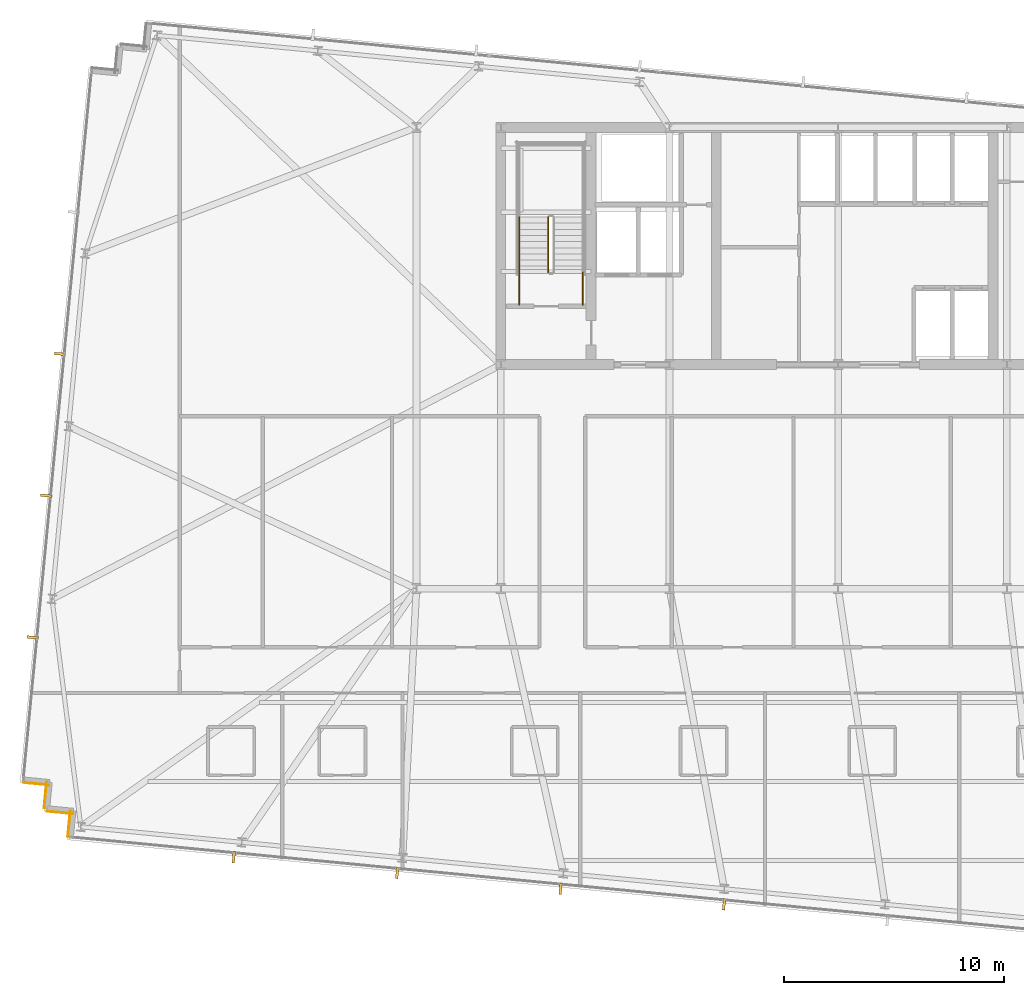
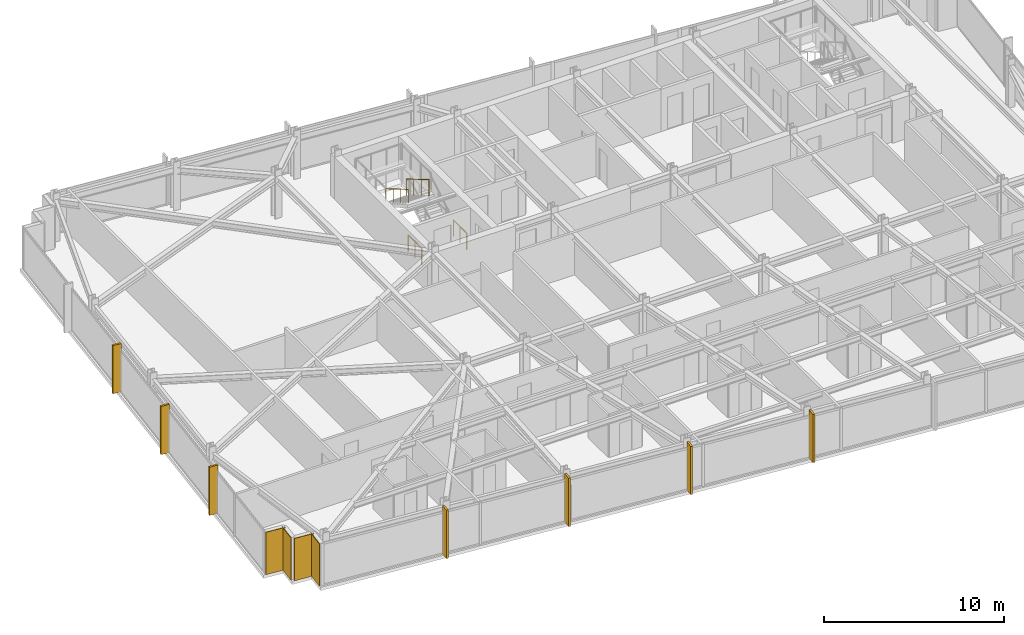
# One storey, part 33 of 37: 7 shading devices, 4 coverings, 4 railings.
"""IFC4 building model written with IfcOpenShell, lengths in metres."""

from ifc_helpers import new_model, si_unit, direction, frame, frame_2d, origin, origin_2d, place, context, subcontext, project, spatial, rectangle, circle, extrude, material, layer, layer_set, type_object, element, save


model = new_model("IFC4")

# Units and contexts
model_context = context("Model", 3, precision=1e-05, world=origin(), true_north=direction((0.0, 1.0)))
body_context = subcontext(model_context, "Body", "Model", "MODEL_VIEW")
ifc_project = project(units=[si_unit("LENGTHUNIT", "METRE"), si_unit("AREAUNIT", "SQUARE_METRE"), si_unit("VOLUMEUNIT", "CUBIC_METRE"), si_unit("PLANEANGLEUNIT", "RADIAN"), si_unit("MASSUNIT", "GRAM", prefix="KILO")], contexts=[model_context])

# Site, building, storey
site_placement = place(None, origin())
site = spatial("IfcSite", under=ifc_project, at=site_placement, CompositionType="ELEMENT")
building_placement = place(site_placement, origin())
building = spatial("IfcBuilding", under=site, at=building_placement, Name="Yelkora Congress Tower", CompositionType="ELEMENT")
storey_placement = place(building_placement, frame((0.0, 0.0, 188.60009765625)))
storey = spatial("IfcBuildingStorey", under=building, at=storey_placement, Name="L52", CompositionType="ELEMENT", Elevation=188.60009765625)

# Coverings
ifc_material_1 = material(Name="Anatolian bush-hammered limestone", Category="masonry")
ifc_layer_1 = layer(ifc_material_1, 0.0400390625)
ifc_layer_set_1 = layer_set([ifc_layer_1], Name="Anatolian bush-hammered limestone")
covering_type = type_object("IfcCoveringType", Name="COV-CLAD-SPANDREL-40", PredefinedType="CLADDING", material=ifc_layer_set_1)
covering_1_placement = place(storey_placement, frame((3.327880859375, 13.90185546875, 0.0), z_axis=(0.0, 0.0, 1.0), x_axis=(0.095817067274, 0.995398960025, 0.0)))
element("IfcCovering", 1, at=covering_1_placement, inside=storey, type_object=covering_type, Name="L52 Anatolian Limestone Cladding EW-L52-SR01", PredefinedType="CLADDING", context=body_context, shape_type="SweptSolid", body=[
    extrude(rectangle(XDim=1.2001953125, YDim=0.0400390625, at=frame_2d((0.60009765625, 0.0))), origin(), (0.0, 0.0, 1.0), 2.8798828125),
])
covering_2_placement = place(storey_placement, frame((3.564208984375, 14.94921875, 0.0), z_axis=(0.0, 0.0, 1.0), x_axis=(-0.995397091755, 0.095836473879, 0.0)))
element("IfcCovering", 2, at=covering_2_placement, inside=storey, type_object=covering_type, Name="L52 Anatolian Limestone Cladding EW-L52-SR02", PredefinedType="CLADDING", context=body_context, shape_type="SweptSolid", body=[
    extrude(rectangle(XDim=1.199951171875, YDim=0.0400390625, at=frame_2d((0.60009765625, 0.0))), origin(), (0.0, 0.0, 1.0), 2.8798828125),
])
for number, where, z_axis, x_axis, name in (
    (3, (2.248291015625, 15.21142578125, 0.0), (0.0, 0.0, 1.0), (0.095817067274, 0.995398960025, 0.0), "L52 Anatolian Limestone Cladding EW-L52-SR03"),
    (4, (2.48486328125, 16.258544921875, 0.0), (0.0, 0.0, 1.0), (-0.995398960025, 0.095817067274, 0.0), "L52 Anatolian Limestone Cladding EW-L52-SR04"),
):
    element("IfcCovering", number, at=place(storey_placement, frame(where, z_axis=z_axis, x_axis=x_axis)), inside=storey, type_object=covering_type, Name=name, PredefinedType="CLADDING", context=body_context, shape_type="SweptSolid", body=[
        extrude(rectangle(XDim=1.2001953125, YDim=0.0400390625, at=frame_2d((0.60009765625, 0.0))), origin(), (0.0, 0.0, 1.0), 2.8798828125),
    ])

# Railings
ifc_material_2 = material(Name="Painted galvanised steel stair well guard with vertical infill", Category="steel")
ifc_layer_2 = layer(ifc_material_2, 0.06005859375)
ifc_layer_set_2 = layer_set([ifc_layer_2], Name="Painted galvanised steel stair well guard with vertical infill")
railing_type_1 = type_object("IfcRailingType", Name="RAIL-STAIR-GUARD-1120", PredefinedType="GUARDRAIL", material=ifc_layer_set_2)
railing_1_placement = place(storey_placement, frame((25.18994140625, 42.1201171875, 1.81494140625)))
element("IfcRailing", 5, at=railing_1_placement, inside=storey, type_object=railing_type_1, Name="ST-01 L52 Stair Well Guardrail 6", PredefinedType="GUARDRAIL", context=body_context, shape_type="SweptSolid", body=[
    extrude(circle(Radius=0.02392578125, at=origin_2d()), frame((0.0, 0.0, 1.09619140625), z_axis=(0.0, -0.861560626758, 0.507654692109), x_axis=(1.0, 0.0, 0.0)), (0.0, 0.0, 1.0), 2.925048828125),
    extrude(circle(Radius=0.02099609375, at=origin_2d()), origin(), (0.0, 0.0, 1.0), 1.072021484375),
    extrude(circle(Radius=0.02099609375, at=origin_2d()), frame((0.0, -0.840087890625, 0.494873046875)), (0.0, 0.0, 1.0), 1.072021484375),
    extrude(circle(Radius=0.02099609375, at=origin_2d()), frame((0.0, -1.679931640625, 0.989990234375)), (0.0, 0.0, 1.0), 1.072021484375),
    extrude(circle(Radius=0.02099609375, at=origin_2d()), frame((0.0, -2.52001953125, 1.48486328125)), (0.0, 0.0, 1.0), 1.072021484375),
])
for number, where, name in (
    (6, (26.77001953125, 38.1201171875, 0.0), "ST-01 L52 Stair Well Guardrail 8"),
    (7, (23.8701171875, 38.1201171875, 0.0), "ST-01 L52 Stair Well Guardrail 9"),
):
    element("IfcRailing", number, at=place(storey_placement, frame(where)), inside=storey, type_object=railing_type_1, Name=name, PredefinedType="GUARDRAIL", context=body_context, shape_type="SweptSolid", body=[
        extrude(circle(Radius=0.02392578125, at=origin_2d()), frame((0.0, 0.0, 1.09619140625), z_axis=(0.0, 1.0, 0.0), x_axis=(-1.0, 0.0, 0.0)), (0.0, 0.0, 1.0), 1.47998046875),
        extrude(circle(Radius=0.02099609375, at=origin_2d()), origin(), (0.0, 0.0, 1.0), 1.072021484375),
        extrude(circle(Radius=0.02099609375, at=origin_2d()), frame((0.0, 0.739990234375, 0.0)), (0.0, 0.0, 1.0), 1.072021484375),
        extrude(circle(Radius=0.02099609375, at=origin_2d()), frame((0.0, 1.47998046875, 0.0)), (0.0, 0.0, 1.0), 1.072021484375),
    ])
ifc_material_3 = material(Name="Brushed stainless steel tubular handrail", Category="steel")
ifc_layer_3 = layer(ifc_material_3, 0.050048828125)
ifc_layer_set_3 = layer_set([ifc_layer_3], Name="Brushed stainless steel tubular handrail")
railing_type_2 = type_object("IfcRailingType", Name="RAIL-STAIR-HAND-920", PredefinedType="HANDRAIL", material=ifc_layer_set_3)
railing_2_placement = place(storey_placement, frame((23.8701171875, 42.1201171875, 1.81494140625)))
element("IfcRailing", 8, at=railing_2_placement, inside=storey, type_object=railing_type_2, Name="ST-01 L52 Pitch Handrail 2", PredefinedType="HANDRAIL", context=body_context, shape_type="SweptSolid", body=[
    extrude(circle(Radius=0.02392578125, at=origin_2d()), frame((0.0, 0.0, 0.89599609375), z_axis=(0.0, -0.861560626758, 0.507654692109), x_axis=(1.0, 0.0, 0.0)), (0.0, 0.0, 1.0), 2.925048828125),
    extrude(circle(Radius=0.02099609375, at=origin_2d()), origin(), (0.0, 0.0, 1.0), 0.871826171875),
    extrude(circle(Radius=0.02099609375, at=origin_2d()), frame((0.0, -0.840087890625, 0.494873046875)), (0.0, 0.0, 1.0), 0.871826171875),
    extrude(circle(Radius=0.02099609375, at=origin_2d()), frame((0.0, -1.679931640625, 0.989990234375)), (0.0, 0.0, 1.0), 0.871826171875),
    extrude(circle(Radius=0.02099609375, at=origin_2d()), frame((0.0, -2.52001953125, 1.48486328125)), (0.0, 0.0, 1.0), 0.871826171875),
])

# Shading devices
ifc_material_4 = material(Name="Champagne anodised aluminium", Category="aluminium")
ifc_layer_4 = layer(ifc_material_4, 3.300048828125)
ifc_layer_set_4 = layer_set([ifc_layer_4], Name="Champagne anodised aluminium")
shading_device_type = type_object("IfcShadingDeviceType", Name="SHD-FIN-ALU-520", PredefinedType="USERDEFINED", material=ifc_layer_set_4)
for number, where, z_axis, x_axis, name in (
    (9, (1.7255859375, 22.981201171875, -0.0302734375), (0.0, 0.0, 1.0), (0.09584575252, 0.995396198367, 0.0), "L52 Vertical Anodised Solar Fin 5-1"),
    (10, (2.34716796875, 29.435302734375, -0.0302734375), (0.0, 0.0, 1.0), (0.09584575252, 0.995396198367, 0.0), "L52 Vertical Anodised Solar Fin 5-2"),
    (11, (2.968505859375, 35.889404296875, -0.0302734375), (0.0, 0.0, 1.0), (0.09584575252, 0.995396198367, 0.0), "L52 Vertical Anodised Solar Fin 5-3"),
    (12, (33.202392578125, 10.82421875, -0.0302734375), (0.0, 0.0, 1.0), (-0.995396198367, 0.09584575252, 0.0), "L52 Vertical Anodised Solar Fin 20-3"),
    (13, (25.7626953125, 11.540771484375, -0.0302734375), (0.0, 0.0, 1.0), (-0.995396198367, 0.09584575252, 0.0), "L52 Vertical Anodised Solar Fin 20-4"),
    (14, (18.32275390625, 12.257080078125, -0.0302734375), (0.0, 0.0, 1.0), (-0.995396198367, 0.09584575252, 0.0), "L52 Vertical Anodised Solar Fin 20-5"),
    (15, (10.8828125, 12.973388671875, -0.0302734375), (0.0, 0.0, 1.0), (-0.995396198367, 0.09584575252, 0.0), "L52 Vertical Anodised Solar Fin 20-6"),
):
    element("IfcShadingDevice", number, at=place(storey_placement, frame(where, z_axis=z_axis, x_axis=x_axis)), inside=storey, type_object=shading_device_type, Name=name, ObjectType="FIN", PredefinedType="USERDEFINED", context=body_context, shape_type="SweptSolid", body=[
        extrude(rectangle(XDim=0.1201171875, YDim=0.52001953125, at=origin_2d()), origin(), (0.0, 0.0, 1.0), 3.280029296875),
    ])

save(model, "model.ifc")
